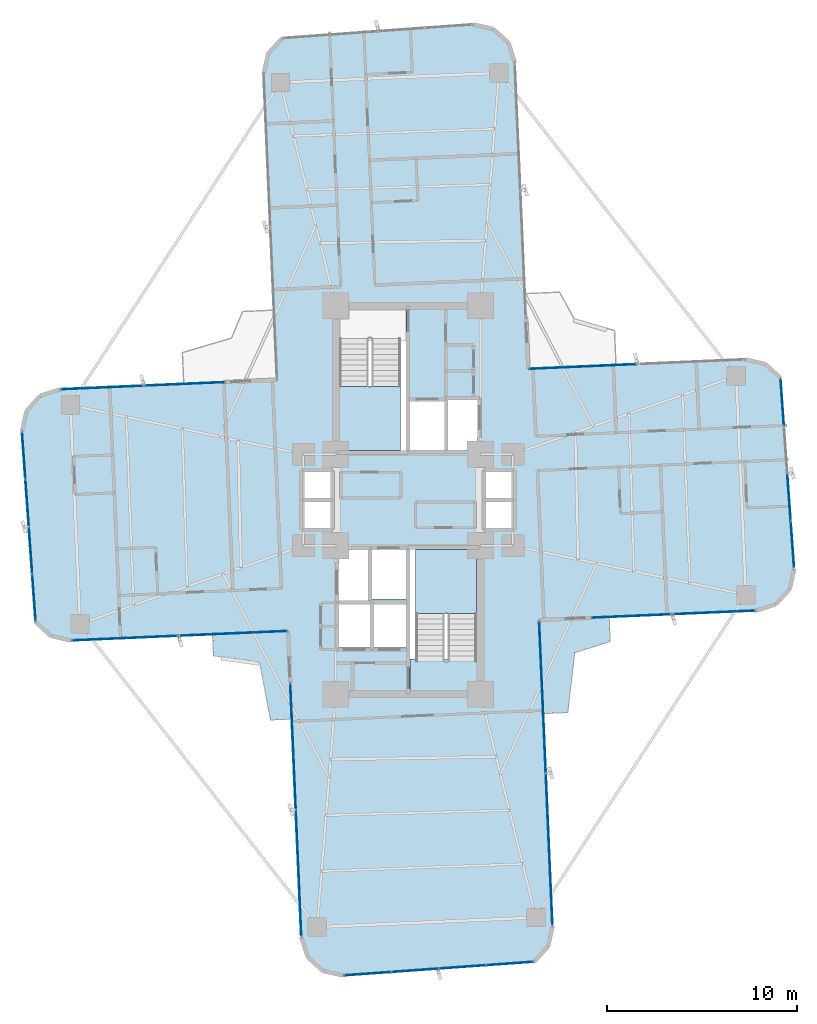
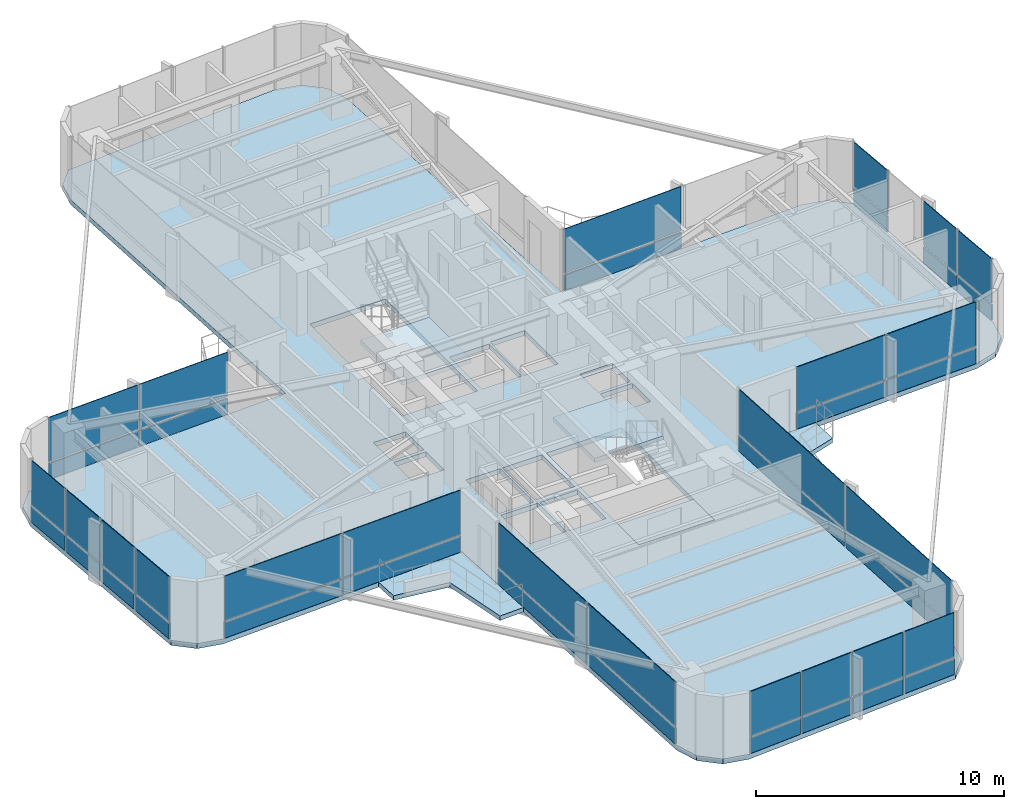
# One storey, part 21 of 26: 44 plates, 6 slabs, 11 elements without a shape of their own.
"""IFC4 building model written with IfcOpenShell, lengths in metres."""

from ifc_helpers import new_model, si_unit, direction, frame, origin, origin_2d, place, context, subcontext, project, spatial, polyline, rectangle, outline, extrude, source, transform, mapped, material, layer, layer_set, type_object, element, aggregate, save


model = new_model("IFC4")

# Units and contexts
model_context = context("Model", 3, precision=1e-05, world=origin(), true_north=direction((0.0, 1.0)))
body_context = subcontext(model_context, "Body", "Model", "MODEL_VIEW")
ifc_project = project(units=[si_unit("LENGTHUNIT", "METRE"), si_unit("AREAUNIT", "SQUARE_METRE"), si_unit("VOLUMEUNIT", "CUBIC_METRE"), si_unit("PLANEANGLEUNIT", "RADIAN"), si_unit("MASSUNIT", "GRAM", prefix="KILO")], contexts=[model_context])

# Site, building, storey
site_placement = place(None, origin())
site = spatial("IfcSite", under=ifc_project, at=site_placement, CompositionType="ELEMENT")
building_placement = place(site_placement, origin())
building = spatial("IfcBuilding", under=site, at=building_placement, Name="Sahyath Konkavel Grand Hotel", CompositionType="ELEMENT")
storey_placement = place(building_placement, frame((0.0, 0.0, 131.550048828125)))
storey = spatial("IfcBuildingStorey", under=building, at=storey_placement, Name="L36", CompositionType="ELEMENT", Elevation=131.550048828125)

# Slabs
ifc_material_1 = material(Name="Concrete C40/50", Category="concrete")
ifc_layer_1 = layer(ifc_material_1, 0.239990234375)
ifc_layer_set_1 = layer_set([ifc_layer_1], Name="Concrete C40/50")
slab_type_1 = type_object("IfcSlabType", Name="SLB-240", PredefinedType="FLOOR", material=ifc_layer_set_1)
slab_1_placement = place(storey_placement, frame((0.0, 0.0, -0.239990234375)))
element("IfcSlab", 1, at=slab_1_placement, inside=storey, type_object=slab_type_1, Name="L36 Structural Floor Slab", PredefinedType="FLOOR", context=body_context, shape_type="SweptSolid", body=[
    extrude(outline(polyline([(6.881591796875, -6.305908203125), (18.270751953125, -5.80859375), (19.3076171875, -5.481689453125), (20.0419921875, -4.68017578125), (20.277099609375, -3.618896484375), (19.5576171875, 6.4091796875), (18.75634765625, 7.1435546875), (17.695068359375, 7.37890625), (6.305908203125, 6.881591796875), (5.603515625, 22.96630859375), (5.276611328125, 24.0029296875), (4.47509765625, 24.7373046875), (3.4140625, 24.97265625), (-6.6142578125, 24.253173828125), (-7.3486328125, 23.451904296875), (-7.583984375, 22.390380859375), (-6.881591796875, 6.305908203125), (-18.270751953125, 5.80859375), (-19.3076171875, 5.481689453125), (-20.0419921875, 4.68017578125), (-20.277099609375, 3.618896484375), (-19.5576171875, -6.4091796875), (-18.75634765625, -7.1435546875), (-17.695068359375, -7.37890625), (-6.305908203125, -6.881591796875), (-5.603515625, -22.96630859375), (-5.276611328125, -24.0029296875), (-4.47509765625, -24.7373046875), (-3.4140625, -24.97265625), (6.6142578125, -24.253173828125), (7.3486328125, -23.451904296875), (7.583984375, -22.390380859375), (6.881591796875, -6.305908203125)]), holes=[polyline([(-3.6201171875, 2.580078125), (-0.10009765625, 2.580078125), (-0.10009765625, 10.02001953125), (-3.6201171875, 10.02001953125), (-3.6201171875, 2.580078125)]), polyline([(0.10009765625, -10.02001953125), (3.6201171875, -10.02001953125), (3.6201171875, -2.580078125), (0.10009765625, -2.580078125), (0.10009765625, -10.02001953125)]), polyline([(0.10009765625, 2.60009765625), (1.949951171875, 2.60009765625), (1.949951171875, 5.199951171875), (0.10009765625, 5.199951171875), (0.10009765625, 2.60009765625)]), polyline([(-1.949951171875, -5.199951171875), (-0.10009765625, -5.199951171875), (-0.10009765625, -2.60009765625), (-1.949951171875, -2.60009765625), (-1.949951171875, -5.199951171875)]), polyline([(2.050048828125, 2.60009765625), (3.64990234375, 2.60009765625), (3.64990234375, 5.300048828125), (2.050048828125, 5.300048828125), (2.050048828125, 2.60009765625)]), polyline([(-3.64990234375, -5.300048828125), (-2.050048828125, -5.300048828125), (-2.050048828125, -2.60009765625), (-3.64990234375, -2.60009765625), (-3.64990234375, -5.300048828125)]), polyline([(-3.64990234375, -7.75), (-1.949951171875, -7.75), (-1.949951171875, -5.449951171875), (-3.64990234375, -5.449951171875), (-3.64990234375, -7.75)]), polyline([(-1.85009765625, -7.75), (-0.10009765625, -7.75), (-0.10009765625, -5.449951171875), (-1.85009765625, -5.449951171875), (-1.85009765625, -7.75)]), polyline([(4.050048828125, 0.080078125), (5.550048828125, 0.080078125), (5.550048828125, 1.5400390625), (4.050048828125, 1.5400390625), (4.050048828125, 0.080078125)]), polyline([(4.050048828125, -1.5400390625), (5.550048828125, -1.5400390625), (5.550048828125, -0.080078125), (4.050048828125, -0.080078125), (4.050048828125, -1.5400390625)]), polyline([(-5.550048828125, 0.080078125), (-4.050048828125, 0.080078125), (-4.050048828125, 1.5400390625), (-5.550048828125, 1.5400390625), (-5.550048828125, 0.080078125)]), polyline([(-5.550048828125, -1.5400390625), (-4.050048828125, -1.5400390625), (-4.050048828125, -0.080078125), (-5.550048828125, -0.080078125), (-5.550048828125, -1.5400390625)])]), origin(), (0.0, 0.0, 1.0), 0.239990234375),
])
ifc_layer_2 = layer(ifc_material_1, 0.219970703125)
ifc_layer_set_2 = layer_set([ifc_layer_2], Name="Concrete C40/50")
slab_type_2 = type_object("IfcSlabType", Name="SLB-BALCONY-220", PredefinedType="FLOOR", material=ifc_layer_set_2)
slab_2_placement = place(storey_placement, frame((0.0, 0.0, -0.219970703125)))
element("IfcSlab", 2, at=slab_2_placement, inside=storey, type_object=slab_type_2, Name="L36 Winter-Garden Balcony SW", PredefinedType="FLOOR", context=body_context, shape_type="SweptSolid", body=[
    extrude(outline(polyline([(-6.305908203125, -6.881591796875), (-10.27392578125, -7.054931640625), (-10.224853515625, -8.179931640625), (-7.800048828125, -8.51220703125), (-7.22900390625, -11.55419921875), (-6.10400390625, -11.505126953125), (-6.305908203125, -6.881591796875)])), origin(), (0.0, 0.0, 1.0), 0.219970703125),
])
slab_3_placement = place(storey_placement, frame((0.0, 0.0, -0.219970703125)))
element("IfcSlab", 3, at=slab_3_placement, inside=storey, type_object=slab_type_2, Name="L36 Winter-Garden Balcony SE", PredefinedType="FLOOR", context=body_context, shape_type="SweptSolid", body=[
    extrude(outline(polyline([(6.881591796875, -6.305908203125), (7.09619140625, -11.22021484375), (8.385986328125, -11.163818359375), (8.751220703125, -8.018798828125), (10.615478515625, -7.43505859375), (10.55908203125, -6.145263671875), (6.881591796875, -6.305908203125)])), origin(), (0.0, 0.0, 1.0), 0.219970703125),
])

# Stair, slab
stair_type = type_object("IfcStairType", Name="STR-ST16-335", PredefinedType="HALF_TURN_STAIR", material=ifc_material_1)
stair_1_placement = place(storey_placement, origin())
stair_1 = element("IfcStair", 4, at=stair_1_placement, inside=storey, type_object=stair_type, Name="L36 North Core Smokeproof Exit Stair ST-1", PredefinedType="HALF_TURN_STAIR")
ifc_layer_3 = layer(ifc_material_1, 0.199951171875)
ifc_layer_set_3 = layer_set([ifc_layer_3], Name="Concrete C40/50")
slab_type_3 = type_object("IfcSlabType", Name="SLB-STAIR-LND", PredefinedType="LANDING", material=ifc_layer_set_3)
slab_4_placement = place(storey_placement, frame((0.0, 0.0, 1.474853515625)))
slab_4 = element("IfcSlab", 5, at=slab_4_placement, type_object=slab_type_3, Name="ST-1 landing 1", PredefinedType="LANDING", context=body_context, shape_type="SweptSolid", body=[
    extrude(outline(polyline([(-3.60009765625, 5.9599609375), (-3.60009765625, 2.60009765625), (-0.39990234375, 2.60009765625), (-0.39990234375, 5.9599609375), (-3.60009765625, 5.9599609375)])), origin(), (0.0, 0.0, 1.0), 0.2001953125),
])
aggregate(stair_1, [slab_4])

stair_2_placement = place(storey_placement, origin())
stair_2 = element("IfcStair", 6, at=stair_2_placement, inside=storey, type_object=stair_type, Name="L36 South Core Smokeproof Exit Stair ST-2", PredefinedType="HALF_TURN_STAIR")
slab_5_placement = place(storey_placement, frame((0.0, 0.0, 1.474853515625)))
slab_5 = element("IfcSlab", 7, at=slab_5_placement, type_object=slab_type_3, Name="ST-2 landing 1", PredefinedType="LANDING", context=body_context, shape_type="SweptSolid", body=[
    extrude(outline(polyline([(3.60009765625, -5.9599609375), (3.60009765625, -2.60009765625), (0.39990234375, -2.60009765625), (0.39990234375, -5.9599609375), (3.60009765625, -5.9599609375)])), origin(), (0.0, 0.0, 1.0), 0.2001953125),
])
aggregate(stair_2, [slab_5])

# Slab
slab_6_placement = place(storey_placement, frame((0.0, 0.0, -0.199951171875)))
element("IfcSlab", 8, at=slab_6_placement, inside=storey, type_object=slab_type_3, Name="L36 Stair ST-2 Floor Landing Slab", PredefinedType="LANDING", context=body_context, shape_type="SweptSolid", body=[
    extrude(outline(polyline([(0.10009765625, -10.02001953125), (3.6201171875, -10.02001953125), (3.6201171875, -8.35009765625), (0.10009765625, -8.35009765625), (0.10009765625, -10.02001953125)])), origin(), (0.0, 0.0, 1.0), 0.199951171875),
])

# Curtain wall, plates
ifc_material_2 = material(Name="Anodised Bronze Aluminium & Low-E Glazing", Category="aluminium")
curtain_wall_type = type_object("IfcCurtainWallType", Name="CW-ZONE2", PredefinedType="NOTDEFINED", material=ifc_material_2)
curtain_wall_1_placement = place(storey_placement, origin())
curtain_wall_1 = element("IfcCurtainWall", 9, at=curtain_wall_1_placement, inside=storey, type_object=curtain_wall_type, Name="L36 Unitised Curtain Wall F0", PredefinedType="NOTDEFINED")
ifc_material_3 = material(Name="Warm Buff Sandstone Cladding", Category="masonry")
ifc_layer_4 = layer(ifc_material_3, 0.074951171875)
ifc_layer_set_4 = layer_set([ifc_layer_4], Name="Warm Buff Sandstone Cladding")
plate_type_1 = type_object("IfcPlateType", Name="PNL-SPANDREL-STONE", PredefinedType="SHEET", material=ifc_layer_set_4)
shared_shape_1 = source(origin(), body_context, "Body", "SweptSolid", [
    extrude(rectangle(XDim=4.22998046875, YDim=0.074951171875, at=origin_2d()), origin(), (0.0, 0.0, 1.0), 0.77001953125),
])
plate_1_placement = place(storey_placement, frame((11.77197265625, -6.09228515625, 0.0400390625), z_axis=(0.0, 0.0, 1.0), x_axis=(0.999048982732, 0.043601950678, 0.0)))
plate_1 = element("IfcPlate", 10, at=plate_1_placement, type_object=plate_type_1, Name="L36 Sandstone Relief Spandrel Panel F0-0", PredefinedType="SHEET", context=body_context, shape_type="MappedRepresentation", body=[
    mapped(shared_shape_1, transform((0.0, 0.0, 0.0), scale=1.0)),
])
plate_2_placement = place(storey_placement, frame((16.077880859375, -5.904296875, 0.0400390625), z_axis=(0.0, 0.0, 1.0), x_axis=(0.999048982732, 0.043601950678, 0.0)))
plate_2 = element("IfcPlate", 11, at=plate_2_placement, type_object=plate_type_1, Name="L36 Sandstone Relief Spandrel Panel F0-1", PredefinedType="SHEET", context=body_context, shape_type="MappedRepresentation", body=[
    mapped(shared_shape_1, transform((0.0, 0.0, 0.0), scale=1.0)),
])

curtain_wall_2_placement = place(storey_placement, origin())
curtain_wall_2 = element("IfcCurtainWall", 12, at=curtain_wall_2_placement, inside=storey, type_object=curtain_wall_type, Name="L36 Unitised Curtain Wall F16", PredefinedType="NOTDEFINED")
plate_3_placement = place(storey_placement, frame((-11.77197265625, 6.09228515625, 0.0400390625), z_axis=(0.0, 0.0, 1.0), x_axis=(-0.999048982732, -0.043601950678, 0.0)))
plate_3 = element("IfcPlate", 13, at=plate_3_placement, type_object=plate_type_1, Name="L36 Sandstone Relief Spandrel Panel F16-0", PredefinedType="SHEET", context=body_context, shape_type="MappedRepresentation", body=[
    mapped(shared_shape_1, transform((0.0, 0.0, 0.0), scale=1.0)),
])
plate_4_placement = place(storey_placement, frame((-16.077880859375, 5.904296875, 0.0400390625), z_axis=(0.0, 0.0, 1.0), x_axis=(-0.999048982732, -0.043601950678, 0.0)))
plate_4 = element("IfcPlate", 14, at=plate_4_placement, type_object=plate_type_1, Name="L36 Sandstone Relief Spandrel Panel F16-1", PredefinedType="SHEET", context=body_context, shape_type="MappedRepresentation", body=[
    mapped(shared_shape_1, transform((0.0, 0.0, 0.0), scale=1.0)),
])

curtain_wall_3_placement = place(storey_placement, origin())
curtain_wall_3 = element("IfcCurtainWall", 15, at=curtain_wall_3_placement, inside=storey, type_object=curtain_wall_type, Name="L36 Unitised Curtain Wall F4", PredefinedType="NOTDEFINED")
shared_shape_2 = source(origin(), body_context, "Body", "SweptSolid", [
    extrude(rectangle(XDim=2.41357421875, YDim=0.074951171875, at=origin_2d()), origin(), (0.0, 0.0, 1.0), 0.77001953125),
])
plate_5_placement = place(storey_placement, frame((20.18505859375, -2.335693359375, 0.0400390625), z_axis=(0.0, 0.0, 1.0), x_axis=(-0.071567078661, 0.997435789037, 0.0)))
plate_5 = element("IfcPlate", 16, at=plate_5_placement, type_object=plate_type_1, Name="L36 Sandstone Relief Spandrel Panel F4-0", PredefinedType="SHEET", context=body_context, shape_type="MappedRepresentation", body=[
    mapped(shared_shape_2, transform((0.0, 0.0, 0.0), scale=1.0)),
])
plate_6_placement = place(storey_placement, frame((20.006591796875, 0.151611328125, 0.0400390625), z_axis=(0.0, 0.0, 1.0), x_axis=(-0.071567078661, 0.997435789037, 0.0)))
plate_6 = element("IfcPlate", 17, at=plate_6_placement, type_object=plate_type_1, Name="L36 Sandstone Relief Spandrel Panel F4-1", PredefinedType="SHEET", context=body_context, shape_type="MappedRepresentation", body=[
    mapped(shared_shape_2, transform((0.0, 0.0, 0.0), scale=1.0)),
])
plate_7_placement = place(storey_placement, frame((19.64990234375, 5.125732421875, 0.0400390625), z_axis=(0.0, 0.0, 1.0), x_axis=(-0.071567078661, 0.997435789037, 0.0)))
plate_7 = element("IfcPlate", 18, at=plate_7_placement, type_object=plate_type_1, Name="L36 Sandstone Relief Spandrel Panel F4-3", PredefinedType="SHEET", context=body_context, shape_type="MappedRepresentation", body=[
    mapped(shared_shape_2, transform((0.0, 0.0, 0.0), scale=1.0)),
])

curtain_wall_4_placement = place(storey_placement, origin())
curtain_wall_4 = element("IfcCurtainWall", 19, at=curtain_wall_4_placement, inside=storey, type_object=curtain_wall_type, Name="L36 Unitised Curtain Wall F20", PredefinedType="NOTDEFINED")
plate_8_placement = place(storey_placement, frame((-20.18505859375, 2.335693359375, 0.0400390625), z_axis=(0.0, 0.0, 1.0), x_axis=(0.071567078661, -0.997435789037, 0.0)))
plate_8 = element("IfcPlate", 20, at=plate_8_placement, type_object=plate_type_1, Name="L36 Sandstone Relief Spandrel Panel F20-0", PredefinedType="SHEET", context=body_context, shape_type="MappedRepresentation", body=[
    mapped(shared_shape_2, transform((0.0, 0.0, 0.0), scale=1.0)),
])
plate_9_placement = place(storey_placement, frame((-20.006591796875, -0.151611328125, 0.0400390625), z_axis=(0.0, 0.0, 1.0), x_axis=(0.071567078661, -0.997435789037, 0.0)))
plate_9 = element("IfcPlate", 21, at=plate_9_placement, type_object=plate_type_1, Name="L36 Sandstone Relief Spandrel Panel F20-1", PredefinedType="SHEET", context=body_context, shape_type="MappedRepresentation", body=[
    mapped(shared_shape_2, transform((0.0, 0.0, 0.0), scale=1.0)),
])
plate_10_placement = place(storey_placement, frame((-19.828369140625, -2.638671875, 0.0400390625), z_axis=(0.0, 0.0, 1.0), x_axis=(0.071567078661, -0.997435789037, 0.0)))
plate_10 = element("IfcPlate", 22, at=plate_10_placement, type_object=plate_type_1, Name="L36 Sandstone Relief Spandrel Panel F20-2", PredefinedType="SHEET", context=body_context, shape_type="MappedRepresentation", body=[
    mapped(shared_shape_2, transform((0.0, 0.0, 0.0), scale=1.0)),
])
plate_11_placement = place(storey_placement, frame((-19.64990234375, -5.125732421875, 0.0400390625), z_axis=(0.0, 0.0, 1.0), x_axis=(0.071567078661, -0.997435789037, 0.0)))
plate_11 = element("IfcPlate", 23, at=plate_11_placement, type_object=plate_type_1, Name="L36 Sandstone Relief Spandrel Panel F20-3", PredefinedType="SHEET", context=body_context, shape_type="MappedRepresentation", body=[
    mapped(shared_shape_2, transform((0.0, 0.0, 0.0), scale=1.0)),
])

curtain_wall_5_placement = place(storey_placement, origin())
curtain_wall_5 = element("IfcCurtainWall", 24, at=curtain_wall_5_placement, inside=storey, type_object=curtain_wall_type, Name="L36 Unitised Curtain Wall F28", PredefinedType="NOTDEFINED")
plate_12_placement = place(storey_placement, frame((-2.130615234375, -24.880615234375, 0.0400390625), z_axis=(0.0, 0.0, 1.0), x_axis=(0.997435789037, 0.071567078661, 0.0)))
plate_12 = element("IfcPlate", 25, at=plate_12_placement, type_object=plate_type_1, Name="L36 Sandstone Relief Spandrel Panel F28-0", PredefinedType="SHEET", context=body_context, shape_type="MappedRepresentation", body=[
    mapped(shared_shape_2, transform((0.0, 0.0, 0.0), scale=1.0)),
])
plate_13_placement = place(storey_placement, frame((0.356689453125, -24.7021484375, 0.0400390625), z_axis=(0.0, 0.0, 1.0), x_axis=(0.997435789037, 0.071567078661, 0.0)))
plate_13 = element("IfcPlate", 26, at=plate_13_placement, type_object=plate_type_1, Name="L36 Sandstone Relief Spandrel Panel F28-1", PredefinedType="SHEET", context=body_context, shape_type="MappedRepresentation", body=[
    mapped(shared_shape_2, transform((0.0, 0.0, 0.0), scale=1.0)),
])
plate_14_placement = place(storey_placement, frame((2.84375, -24.523681640625, 0.0400390625), z_axis=(0.0, 0.0, 1.0), x_axis=(0.997435789037, 0.071567078661, 0.0)))
plate_14 = element("IfcPlate", 27, at=plate_14_placement, type_object=plate_type_1, Name="L36 Sandstone Relief Spandrel Panel F28-2", PredefinedType="SHEET", context=body_context, shape_type="MappedRepresentation", body=[
    mapped(shared_shape_2, transform((0.0, 0.0, 0.0), scale=1.0)),
])
plate_15_placement = place(storey_placement, frame((5.330810546875, -24.34521484375, 0.0400390625), z_axis=(0.0, 0.0, 1.0), x_axis=(0.997435789037, 0.071567078661, 0.0)))
plate_15 = element("IfcPlate", 28, at=plate_15_placement, type_object=plate_type_1, Name="L36 Sandstone Relief Spandrel Panel F28-3", PredefinedType="SHEET", context=body_context, shape_type="MappedRepresentation", body=[
    mapped(shared_shape_2, transform((0.0, 0.0, 0.0), scale=1.0)),
])

# Curtain wall, plate
curtain_wall_6_placement = place(storey_placement, origin())
curtain_wall_6 = element("IfcCurtainWall", 29, at=curtain_wall_6_placement, inside=storey, type_object=curtain_wall_type, Name="L36 Unitised Curtain Wall F7", PredefinedType="NOTDEFINED")
shared_shape_3 = source(origin(), body_context, "Body", "SweptSolid", [
    extrude(rectangle(XDim=5.580078125, YDim=0.074951171875, at=origin_2d()), origin(), (0.0, 0.0, 1.0), 0.77001953125),
])
plate_16_placement = place(storey_placement, frame((9.173095703125, 7.0068359375, 0.0400390625), z_axis=(0.0, 0.0, 1.0), x_axis=(-0.999048221582, -0.043619387365, 0.0)))
plate_16 = element("IfcPlate", 30, at=plate_16_placement, type_object=plate_type_1, Name="L36 Sandstone Relief Spandrel Panel F7-1", PredefinedType="SHEET", context=body_context, shape_type="MappedRepresentation", body=[
    mapped(shared_shape_3, transform((0.0, 0.0, 0.0), scale=1.0)),
])

# Curtain wall, plates
curtain_wall_7_placement = place(storey_placement, origin())
curtain_wall_7 = element("IfcCurtainWall", 31, at=curtain_wall_7_placement, inside=storey, type_object=curtain_wall_type, Name="L36 Unitised Curtain Wall F23", PredefinedType="NOTDEFINED")
plate_17_placement = place(storey_placement, frame((-14.82763671875, -7.25390625, 0.0400390625), z_axis=(0.0, 0.0, 1.0), x_axis=(0.999048221582, 0.043619387365, 0.0)))
plate_17 = element("IfcPlate", 32, at=plate_17_placement, type_object=plate_type_1, Name="L36 Sandstone Relief Spandrel Panel F23-0", PredefinedType="SHEET", context=body_context, shape_type="MappedRepresentation", body=[
    mapped(shared_shape_3, transform((0.0, 0.0, 0.0), scale=1.0)),
])
plate_18_placement = place(storey_placement, frame((-9.173095703125, -7.0068359375, 0.0400390625), z_axis=(0.0, 0.0, 1.0), x_axis=(0.999048221582, 0.043619387365, 0.0)))
plate_18 = element("IfcPlate", 33, at=plate_18_placement, type_object=plate_type_1, Name="L36 Sandstone Relief Spandrel Panel F23-1", PredefinedType="SHEET", context=body_context, shape_type="MappedRepresentation", body=[
    mapped(shared_shape_3, transform((0.0, 0.0, 0.0), scale=1.0)),
])

curtain_wall_8_placement = place(storey_placement, origin())
curtain_wall_8 = element("IfcCurtainWall", 34, at=curtain_wall_8_placement, inside=storey, type_object=curtain_wall_type, Name="L36 Unitised Curtain Wall F24", PredefinedType="NOTDEFINED")
shared_shape_4 = source(origin(), body_context, "Body", "SweptSolid", [
    extrude(rectangle(XDim=6.580078125, YDim=0.074951171875, at=origin_2d()), origin(), (0.0, 0.0, 1.0), 0.77001953125),
])
plate_19_placement = place(storey_placement, frame((-6.041015625, -12.94580078125, 0.0400390625), z_axis=(0.0, 0.0, 1.0), x_axis=(0.043619387365, -0.999048221582, 0.0)))
plate_19 = element("IfcPlate", 35, at=plate_19_placement, type_object=plate_type_1, Name="L36 Sandstone Relief Spandrel Panel F24-0", PredefinedType="SHEET", context=body_context, shape_type="MappedRepresentation", body=[
    mapped(shared_shape_4, transform((0.0, 0.0, 0.0), scale=1.0)),
])
plate_20_placement = place(storey_placement, frame((-5.75048828125, -19.599609375, 0.0400390625), z_axis=(0.0, 0.0, 1.0), x_axis=(0.043619387365, -0.999048221582, 0.0)))
plate_20 = element("IfcPlate", 36, at=plate_20_placement, type_object=plate_type_1, Name="L36 Sandstone Relief Spandrel Panel F24-1", PredefinedType="SHEET", context=body_context, shape_type="MappedRepresentation", body=[
    mapped(shared_shape_4, transform((0.0, 0.0, 0.0), scale=1.0)),
])

curtain_wall_9_placement = place(storey_placement, origin())
curtain_wall_9 = element("IfcCurtainWall", 37, at=curtain_wall_9_placement, inside=storey, type_object=curtain_wall_type, Name="L36 Unitised Curtain Wall F31", PredefinedType="NOTDEFINED")
shared_shape_5 = source(origin(), body_context, "Body", "SweptSolid", [
    extrude(rectangle(XDim=7.929931640625, YDim=0.074951171875, at=origin_2d()), origin(), (0.0, 0.0, 1.0), 0.77001953125),
])
plate_21_placement = place(storey_placement, frame((7.407470703125, -18.349365234375, 0.0400390625), z_axis=(0.0, 0.0, 1.0), x_axis=(-0.043619387365, 0.999048221582, 0.0)))
plate_21 = element("IfcPlate", 38, at=plate_21_placement, type_object=plate_type_1, Name="L36 Sandstone Relief Spandrel Panel F31-0", PredefinedType="SHEET", context=body_context, shape_type="MappedRepresentation", body=[
    mapped(shared_shape_5, transform((0.0, 0.0, 0.0), scale=1.0)),
])
plate_22_placement = place(storey_placement, frame((7.05810546875, -10.346923828125, 0.0400390625), z_axis=(0.0, 0.0, 1.0), x_axis=(-0.043619387365, 0.999048221582, 0.0)))
plate_22 = element("IfcPlate", 39, at=plate_22_placement, type_object=plate_type_1, Name="L36 Sandstone Relief Spandrel Panel F31-1", PredefinedType="SHEET", context=body_context, shape_type="MappedRepresentation", body=[
    mapped(shared_shape_5, transform((0.0, 0.0, 0.0), scale=1.0)),
])

# Plate
ifc_material_4 = material(Name="Low-E Solar Control Double Glazing", Category="glass")
ifc_layer_5 = layer(ifc_material_4, 0.035888671875)
ifc_layer_set_5 = layer_set([ifc_layer_5], Name="Low-E Solar Control Double Glazing")
plate_type_2 = type_object("IfcPlateType", Name="PNL-VISION-LOWE", PredefinedType="CURTAIN_PANEL", material=ifc_layer_set_5)
shared_shape_6 = source(origin(), body_context, "Body", "SweptSolid", [
    extrude(rectangle(XDim=4.22998046875, YDim=0.035888671875, at=origin_2d()), origin(), (0.0, 0.0, 1.0), 2.179931640625),
])
plate_23_placement = place(storey_placement, frame((11.77197265625, -6.09228515625, 0.89013671875), z_axis=(0.0, 0.0, 1.0), x_axis=(0.999048982732, 0.043601950678, 0.0)))
plate_23 = element("IfcPlate", 40, at=plate_23_placement, type_object=plate_type_2, Name="L36 Low-E Vision Glazing Panel F0-0", PredefinedType="CURTAIN_PANEL", context=body_context, shape_type="MappedRepresentation", body=[
    mapped(shared_shape_6, transform((0.0, 0.0, 0.0), scale=1.0)),
])

plate_24_placement = place(storey_placement, frame((16.077880859375, -5.904296875, 0.89013671875), z_axis=(0.0, 0.0, 1.0), x_axis=(0.999048982732, 0.043601950678, 0.0)))
plate_24 = element("IfcPlate", 41, at=plate_24_placement, type_object=plate_type_2, Name="L36 Low-E Vision Glazing Panel F0-1", PredefinedType="CURTAIN_PANEL", context=body_context, shape_type="MappedRepresentation", body=[
    mapped(shared_shape_6, transform((0.0, 0.0, 0.0), scale=1.0)),
])

aggregate(curtain_wall_1, [plate_1, plate_23, plate_2, plate_24])

plate_25_placement = place(storey_placement, frame((-11.77197265625, 6.09228515625, 0.89013671875), z_axis=(0.0, 0.0, 1.0), x_axis=(-0.999048982732, -0.043601950678, 0.0)))
plate_25 = element("IfcPlate", 42, at=plate_25_placement, type_object=plate_type_2, Name="L36 Low-E Vision Glazing Panel F16-0", PredefinedType="CURTAIN_PANEL", context=body_context, shape_type="MappedRepresentation", body=[
    mapped(shared_shape_6, transform((0.0, 0.0, 0.0), scale=1.0)),
])

plate_26_placement = place(storey_placement, frame((-16.077880859375, 5.904296875, 0.89013671875), z_axis=(0.0, 0.0, 1.0), x_axis=(-0.999048982732, -0.043601950678, 0.0)))
plate_26 = element("IfcPlate", 43, at=plate_26_placement, type_object=plate_type_2, Name="L36 Low-E Vision Glazing Panel F16-1", PredefinedType="CURTAIN_PANEL", context=body_context, shape_type="MappedRepresentation", body=[
    mapped(shared_shape_6, transform((0.0, 0.0, 0.0), scale=1.0)),
])

aggregate(curtain_wall_2, [plate_3, plate_25, plate_4, plate_26])

shared_shape_7 = source(origin(), body_context, "Body", "SweptSolid", [
    extrude(rectangle(XDim=2.41357421875, YDim=0.035888671875, at=origin_2d()), origin(), (0.0, 0.0, 1.0), 2.179931640625),
])
plate_27_placement = place(storey_placement, frame((20.18505859375, -2.335693359375, 0.89013671875), z_axis=(0.0, 0.0, 1.0), x_axis=(-0.071567078661, 0.997435789037, 0.0)))
plate_27 = element("IfcPlate", 44, at=plate_27_placement, type_object=plate_type_2, Name="L36 Low-E Vision Glazing Panel F4-0", PredefinedType="CURTAIN_PANEL", context=body_context, shape_type="MappedRepresentation", body=[
    mapped(shared_shape_7, transform((0.0, 0.0, 0.0), scale=1.0)),
])

plate_28_placement = place(storey_placement, frame((20.006591796875, 0.151611328125, 0.89013671875), z_axis=(0.0, 0.0, 1.0), x_axis=(-0.071567078661, 0.997435789037, 0.0)))
plate_28 = element("IfcPlate", 45, at=plate_28_placement, type_object=plate_type_2, Name="L36 Low-E Vision Glazing Panel F4-1", PredefinedType="CURTAIN_PANEL", context=body_context, shape_type="MappedRepresentation", body=[
    mapped(shared_shape_7, transform((0.0, 0.0, 0.0), scale=1.0)),
])

plate_29_placement = place(storey_placement, frame((19.64990234375, 5.125732421875, 0.89013671875), z_axis=(0.0, 0.0, 1.0), x_axis=(-0.071567078661, 0.997435789037, 0.0)))
plate_29 = element("IfcPlate", 46, at=plate_29_placement, type_object=plate_type_2, Name="L36 Low-E Vision Glazing Panel F4-3", PredefinedType="CURTAIN_PANEL", context=body_context, shape_type="MappedRepresentation", body=[
    mapped(shared_shape_7, transform((0.0, 0.0, 0.0), scale=1.0)),
])

aggregate(curtain_wall_3, [plate_5, plate_27, plate_6, plate_28, plate_7, plate_29])

plate_30_placement = place(storey_placement, frame((-20.18505859375, 2.335693359375, 0.89013671875), z_axis=(0.0, 0.0, 1.0), x_axis=(0.071567078661, -0.997435789037, 0.0)))
plate_30 = element("IfcPlate", 47, at=plate_30_placement, type_object=plate_type_2, Name="L36 Low-E Vision Glazing Panel F20-0", PredefinedType="CURTAIN_PANEL", context=body_context, shape_type="MappedRepresentation", body=[
    mapped(shared_shape_7, transform((0.0, 0.0, 0.0), scale=1.0)),
])

plate_31_placement = place(storey_placement, frame((-20.006591796875, -0.151611328125, 0.89013671875), z_axis=(0.0, 0.0, 1.0), x_axis=(0.071567078661, -0.997435789037, 0.0)))
plate_31 = element("IfcPlate", 48, at=plate_31_placement, type_object=plate_type_2, Name="L36 Low-E Vision Glazing Panel F20-1", PredefinedType="CURTAIN_PANEL", context=body_context, shape_type="MappedRepresentation", body=[
    mapped(shared_shape_7, transform((0.0, 0.0, 0.0), scale=1.0)),
])

plate_32_placement = place(storey_placement, frame((-19.828369140625, -2.638671875, 0.89013671875), z_axis=(0.0, 0.0, 1.0), x_axis=(0.071567078661, -0.997435789037, 0.0)))
plate_32 = element("IfcPlate", 49, at=plate_32_placement, type_object=plate_type_2, Name="L36 Low-E Vision Glazing Panel F20-2", PredefinedType="CURTAIN_PANEL", context=body_context, shape_type="MappedRepresentation", body=[
    mapped(shared_shape_7, transform((0.0, 0.0, 0.0), scale=1.0)),
])

plate_33_placement = place(storey_placement, frame((-19.64990234375, -5.125732421875, 0.89013671875), z_axis=(0.0, 0.0, 1.0), x_axis=(0.071567078661, -0.997435789037, 0.0)))
plate_33 = element("IfcPlate", 50, at=plate_33_placement, type_object=plate_type_2, Name="L36 Low-E Vision Glazing Panel F20-3", PredefinedType="CURTAIN_PANEL", context=body_context, shape_type="MappedRepresentation", body=[
    mapped(shared_shape_7, transform((0.0, 0.0, 0.0), scale=1.0)),
])

aggregate(curtain_wall_4, [plate_8, plate_30, plate_9, plate_31, plate_10, plate_32, plate_11, plate_33])

plate_34_placement = place(storey_placement, frame((-2.130615234375, -24.880615234375, 0.89013671875), z_axis=(0.0, 0.0, 1.0), x_axis=(0.997435789037, 0.071567078661, 0.0)))
plate_34 = element("IfcPlate", 51, at=plate_34_placement, type_object=plate_type_2, Name="L36 Low-E Vision Glazing Panel F28-0", PredefinedType="CURTAIN_PANEL", context=body_context, shape_type="MappedRepresentation", body=[
    mapped(shared_shape_7, transform((0.0, 0.0, 0.0), scale=1.0)),
])

plate_35_placement = place(storey_placement, frame((0.356689453125, -24.7021484375, 0.89013671875), z_axis=(0.0, 0.0, 1.0), x_axis=(0.997435789037, 0.071567078661, 0.0)))
plate_35 = element("IfcPlate", 52, at=plate_35_placement, type_object=plate_type_2, Name="L36 Low-E Vision Glazing Panel F28-1", PredefinedType="CURTAIN_PANEL", context=body_context, shape_type="MappedRepresentation", body=[
    mapped(shared_shape_7, transform((0.0, 0.0, 0.0), scale=1.0)),
])

plate_36_placement = place(storey_placement, frame((2.84375, -24.523681640625, 0.89013671875), z_axis=(0.0, 0.0, 1.0), x_axis=(0.997435789037, 0.071567078661, 0.0)))
plate_36 = element("IfcPlate", 53, at=plate_36_placement, type_object=plate_type_2, Name="L36 Low-E Vision Glazing Panel F28-2", PredefinedType="CURTAIN_PANEL", context=body_context, shape_type="MappedRepresentation", body=[
    mapped(shared_shape_7, transform((0.0, 0.0, 0.0), scale=1.0)),
])

plate_37_placement = place(storey_placement, frame((5.330810546875, -24.34521484375, 0.89013671875), z_axis=(0.0, 0.0, 1.0), x_axis=(0.997435789037, 0.071567078661, 0.0)))
plate_37 = element("IfcPlate", 54, at=plate_37_placement, type_object=plate_type_2, Name="L36 Low-E Vision Glazing Panel F28-3", PredefinedType="CURTAIN_PANEL", context=body_context, shape_type="MappedRepresentation", body=[
    mapped(shared_shape_7, transform((0.0, 0.0, 0.0), scale=1.0)),
])

aggregate(curtain_wall_5, [plate_12, plate_34, plate_13, plate_35, plate_14, plate_36, plate_15, plate_37])

shared_shape_8 = source(origin(), body_context, "Body", "SweptSolid", [
    extrude(rectangle(XDim=5.580078125, YDim=0.035888671875, at=origin_2d()), origin(), (0.0, 0.0, 1.0), 2.179931640625),
])
plate_38_placement = place(storey_placement, frame((9.173095703125, 7.0068359375, 0.89013671875), z_axis=(0.0, 0.0, 1.0), x_axis=(-0.999048221582, -0.043619387365, 0.0)))
plate_38 = element("IfcPlate", 55, at=plate_38_placement, type_object=plate_type_2, Name="L36 Low-E Vision Glazing Panel F7-1", PredefinedType="CURTAIN_PANEL", context=body_context, shape_type="MappedRepresentation", body=[
    mapped(shared_shape_8, transform((0.0, 0.0, 0.0), scale=1.0)),
])

aggregate(curtain_wall_6, [plate_16, plate_38])

plate_39_placement = place(storey_placement, frame((-14.82763671875, -7.25390625, 0.89013671875), z_axis=(0.0, 0.0, 1.0), x_axis=(0.999048221582, 0.043619387365, 0.0)))
plate_39 = element("IfcPlate", 56, at=plate_39_placement, type_object=plate_type_2, Name="L36 Low-E Vision Glazing Panel F23-0", PredefinedType="CURTAIN_PANEL", context=body_context, shape_type="MappedRepresentation", body=[
    mapped(shared_shape_8, transform((0.0, 0.0, 0.0), scale=1.0)),
])

plate_40_placement = place(storey_placement, frame((-9.173095703125, -7.0068359375, 0.89013671875), z_axis=(0.0, 0.0, 1.0), x_axis=(0.999048221582, 0.043619387365, 0.0)))
plate_40 = element("IfcPlate", 57, at=plate_40_placement, type_object=plate_type_2, Name="L36 Low-E Vision Glazing Panel F23-1", PredefinedType="CURTAIN_PANEL", context=body_context, shape_type="MappedRepresentation", body=[
    mapped(shared_shape_8, transform((0.0, 0.0, 0.0), scale=1.0)),
])

aggregate(curtain_wall_7, [plate_17, plate_39, plate_18, plate_40])

shared_shape_9 = source(origin(), body_context, "Body", "SweptSolid", [
    extrude(rectangle(XDim=6.580078125, YDim=0.035888671875, at=origin_2d()), origin(), (0.0, 0.0, 1.0), 2.179931640625),
])
plate_41_placement = place(storey_placement, frame((-6.041015625, -12.94580078125, 0.89013671875), z_axis=(0.0, 0.0, 1.0), x_axis=(0.043619387365, -0.999048221582, 0.0)))
plate_41 = element("IfcPlate", 58, at=plate_41_placement, type_object=plate_type_2, Name="L36 Low-E Vision Glazing Panel F24-0", PredefinedType="CURTAIN_PANEL", context=body_context, shape_type="MappedRepresentation", body=[
    mapped(shared_shape_9, transform((0.0, 0.0, 0.0), scale=1.0)),
])

plate_42_placement = place(storey_placement, frame((-5.75048828125, -19.599609375, 0.89013671875), z_axis=(0.0, 0.0, 1.0), x_axis=(0.043619387365, -0.999048221582, 0.0)))
plate_42 = element("IfcPlate", 59, at=plate_42_placement, type_object=plate_type_2, Name="L36 Low-E Vision Glazing Panel F24-1", PredefinedType="CURTAIN_PANEL", context=body_context, shape_type="MappedRepresentation", body=[
    mapped(shared_shape_9, transform((0.0, 0.0, 0.0), scale=1.0)),
])

aggregate(curtain_wall_8, [plate_19, plate_41, plate_20, plate_42])

shared_shape_10 = source(origin(), body_context, "Body", "SweptSolid", [
    extrude(rectangle(XDim=7.929931640625, YDim=0.035888671875, at=origin_2d()), origin(), (0.0, 0.0, 1.0), 2.179931640625),
])
plate_43_placement = place(storey_placement, frame((7.407470703125, -18.349365234375, 0.89013671875), z_axis=(0.0, 0.0, 1.0), x_axis=(-0.043619387365, 0.999048221582, 0.0)))
plate_43 = element("IfcPlate", 60, at=plate_43_placement, type_object=plate_type_2, Name="L36 Low-E Vision Glazing Panel F31-0", PredefinedType="CURTAIN_PANEL", context=body_context, shape_type="MappedRepresentation", body=[
    mapped(shared_shape_10, transform((0.0, 0.0, 0.0), scale=1.0)),
])

plate_44_placement = place(storey_placement, frame((7.05810546875, -10.346923828125, 0.89013671875), z_axis=(0.0, 0.0, 1.0), x_axis=(-0.043619387365, 0.999048221582, 0.0)))
plate_44 = element("IfcPlate", 61, at=plate_44_placement, type_object=plate_type_2, Name="L36 Low-E Vision Glazing Panel F31-1", PredefinedType="CURTAIN_PANEL", context=body_context, shape_type="MappedRepresentation", body=[
    mapped(shared_shape_10, transform((0.0, 0.0, 0.0), scale=1.0)),
])

aggregate(curtain_wall_9, [plate_21, plate_43, plate_22, plate_44])

save(model, "model.ifc")
